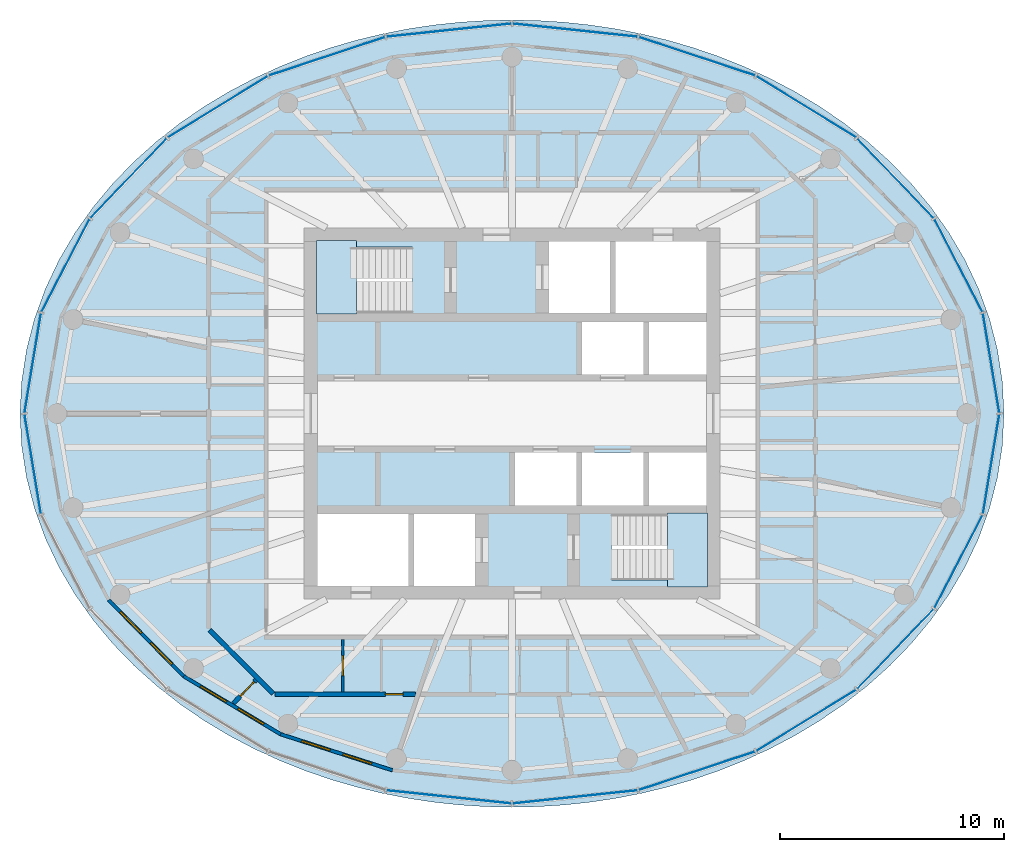
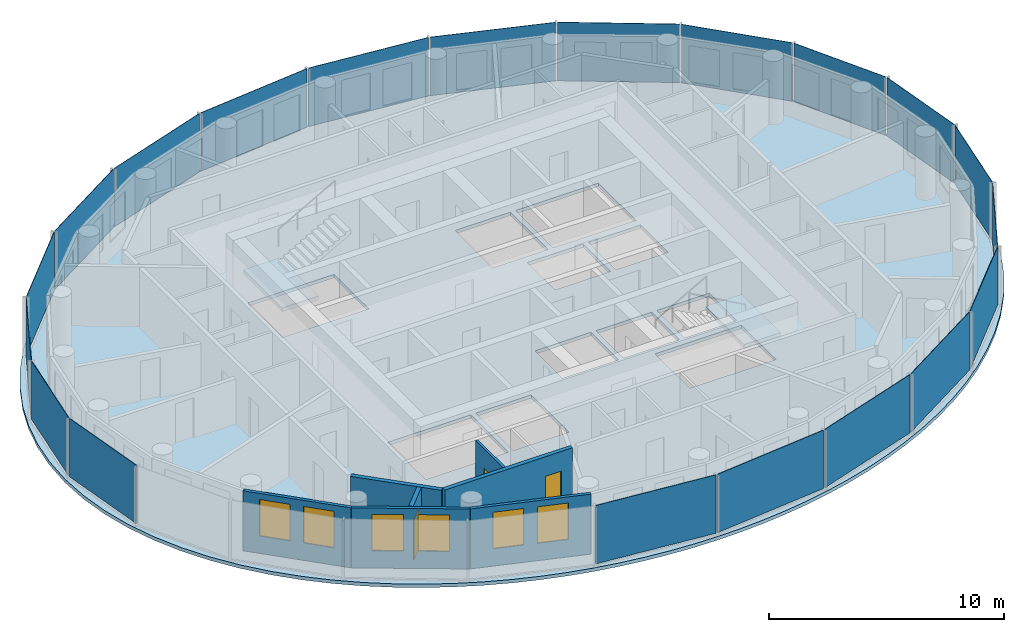
# One storey, part 4 of 11: 20 plates, 7 walls, 6 windows, 3 doors, 3 slabs, 9 openings, 6 elements without a shape of their own.
"""IFC4 building model written with IfcOpenShell, lengths in metres."""

from ifc_helpers import new_model, si_unit, direction, frame, frame_2d, origin, origin_2d, place, context, subcontext, project, spatial, polyline, rectangle, outline, extrude, material, layer, layer_set, type_object, element, fill, aggregate, save


model = new_model("IFC4")

# Units and contexts
model_context = context("Model", 3, precision=1e-05, world=origin(), true_north=direction((0.0, 1.0)))
body_context = subcontext(model_context, "Body", "Model", "MODEL_VIEW")
ifc_project = project(units=[si_unit("LENGTHUNIT", "METRE"), si_unit("AREAUNIT", "SQUARE_METRE"), si_unit("VOLUMEUNIT", "CUBIC_METRE"), si_unit("PLANEANGLEUNIT", "RADIAN"), si_unit("MASSUNIT", "GRAM", prefix="KILO")], contexts=[model_context])

# Site, building, storey
site_placement = place(None, origin())
site = spatial("IfcSite", under=ifc_project, at=site_placement, CompositionType="ELEMENT")
building_placement = place(site_placement, origin())
building = spatial("IfcBuilding", under=site, at=building_placement, Name="Hankou Lantern Tower", CompositionType="ELEMENT")
storey_placement = place(building_placement, frame((0.0, 0.0, 212.699951171875)))
storey = spatial("IfcBuildingStorey", under=building, at=storey_placement, Name="L57", CompositionType="ELEMENT", Elevation=212.699951171875)

# Curtain wall, plates
ifc_material_1 = material(Name="Glass, dark grey tinted laminated", Category="glass")
curtain_wall_type = type_object("IfcCurtainWallType", Name="CWD OUTER SKIN SUITE", PredefinedType="USERDEFINED", material=ifc_material_1)
curtain_wall_1_placement = place(storey_placement, origin())
curtain_wall_1 = element("IfcCurtainWall", 1, at=curtain_wall_1_placement, inside=storey, type_object=curtain_wall_type, Name="CWD L57 OS1", ObjectType="OUTER SKIN SUITE", PredefinedType="USERDEFINED")
ifc_material_2 = material(Name="Glass, dark grey tinted laminated", Category="glass")
ifc_layer_1 = layer(ifc_material_2, 0.02392578125)
ifc_layer_set_1 = layer_set([ifc_layer_1], Name="Glass, dark grey tinted laminated")
plate_type = type_object("IfcPlateType", Name="PN1 OUTER SKIN GLASS PANEL", PredefinedType="CURTAIN_PANEL", material=ifc_layer_set_1)
plate_1_placement = place(storey_placement, frame((21.4287109375, 2.2568359375, 0.080078125), z_axis=(0.0, 0.0, 1.0), x_axis=(-0.162381515188, 0.986728049427, 0.0)))
plate_1 = element("IfcPlate", 2, at=plate_1_placement, type_object=plate_type, Name="CWD glass panel 1", PredefinedType="CURTAIN_PANEL", context=body_context, shape_type="SweptSolid", body=[
    extrude(rectangle(XDim=4.49462890625, YDim=0.02392578125, at=origin_2d()), origin(), (0.0, 0.0, 1.0), 3.0400390625),
])
plate_2_placement = place(storey_placement, frame((19.96826171875, 6.616943359375, 0.080078125), z_axis=(0.0, 0.0, 1.0), x_axis=(-0.459791091957, 0.888027112062, 0.0)))
plate_2 = element("IfcPlate", 3, at=plate_2_placement, type_object=plate_type, Name="CWD glass panel 2", PredefinedType="CURTAIN_PANEL", context=body_context, shape_type="SweptSolid", body=[
    extrude(rectangle(XDim=4.656494140625, YDim=0.02392578125, at=origin_2d()), origin(), (0.0, 0.0, 1.0), 3.0400390625),
])
plate_3_placement = place(storey_placement, frame((17.147216796875, 10.52587890625, 0.080078125), z_axis=(0.0, 0.0, 1.0), x_axis=(-0.692215809936, 0.721690565599, 0.0)))
plate_3 = element("IfcPlate", 4, at=plate_3_placement, type_object=plate_type, Name="CWD glass panel 3", PredefinedType="CURTAIN_PANEL", context=body_context, shape_type="SweptSolid", body=[
    extrude(rectangle(XDim=4.9248046875, YDim=0.02392578125, at=origin_2d()), origin(), (0.0, 0.0, 1.0), 3.0400390625),
])
plate_4_placement = place(storey_placement, frame((13.157470703125, 13.7177734375, 0.080078125), z_axis=(0.0, 0.0, 1.0), x_axis=(-0.852237151549, 0.523155653242, 0.0)))
plate_4 = element("IfcPlate", 5, at=plate_4_placement, type_object=plate_type, Name="CWD glass panel 4", PredefinedType="CURTAIN_PANEL", context=body_context, shape_type="SweptSolid", body=[
    extrude(rectangle(XDim=5.2177734375, YDim=0.02392578125, at=origin_2d()), origin(), (0.0, 0.0, 1.0), 3.0400390625),
])
plate_5_placement = place(storey_placement, frame((8.271240234375, 15.974609375, 0.080078125), z_axis=(0.0, 0.0, 1.0), x_axis=(-0.949240677293, 0.31455068999, 0.0)))
plate_5 = element("IfcPlate", 6, at=plate_5_placement, type_object=plate_type, Name="CWD glass panel 5", PredefinedType="CURTAIN_PANEL", context=body_context, shape_type="SweptSolid", body=[
    extrude(rectangle(XDim=5.458984375, YDim=0.02392578125, at=origin_2d()), origin(), (0.0, 0.0, 1.0), 3.0400390625),
])
plate_6_placement = place(storey_placement, frame((2.821044921875, 17.142822265625, 0.080078125), z_axis=(0.0, 0.0, 1.0), x_axis=(-0.994499359107, 0.104742659579, 0.0)))
plate_6 = element("IfcPlate", 7, at=plate_6_placement, type_object=plate_type, Name="CWD glass panel 6", PredefinedType="CURTAIN_PANEL", context=body_context, shape_type="SweptSolid", body=[
    extrude(rectangle(XDim=5.593505859375, YDim=0.02392578125, at=origin_2d()), origin(), (0.0, 0.0, 1.0), 3.0400390625),
])
aggregate(curtain_wall_1, [plate_1, plate_2, plate_3, plate_4, plate_5, plate_6])

curtain_wall_2_placement = place(storey_placement, origin())
curtain_wall_2 = element("IfcCurtainWall", 8, at=curtain_wall_2_placement, inside=storey, type_object=curtain_wall_type, Name="CWD L57 OS2", ObjectType="OUTER SKIN SUITE", PredefinedType="USERDEFINED")
plate_7_placement = place(storey_placement, frame((-2.821044921875, 17.142822265625, 0.080078125), z_axis=(0.0, 0.0, 1.0), x_axis=(-0.994499359107, -0.104742659579, 0.0)))
plate_7 = element("IfcPlate", 9, at=plate_7_placement, type_object=plate_type, Name="CWD glass panel 1", PredefinedType="CURTAIN_PANEL", context=body_context, shape_type="SweptSolid", body=[
    extrude(rectangle(XDim=5.593505859375, YDim=0.02392578125, at=origin_2d()), origin(), (0.0, 0.0, 1.0), 3.0400390625),
])
plate_8_placement = place(storey_placement, frame((-8.271240234375, 15.974609375, 0.080078125), z_axis=(0.0, 0.0, 1.0), x_axis=(-0.949240677293, -0.31455068999, 0.0)))
plate_8 = element("IfcPlate", 10, at=plate_8_placement, type_object=plate_type, Name="CWD glass panel 2", PredefinedType="CURTAIN_PANEL", context=body_context, shape_type="SweptSolid", body=[
    extrude(rectangle(XDim=5.458984375, YDim=0.02392578125, at=origin_2d()), origin(), (0.0, 0.0, 1.0), 3.0400390625),
])
plate_9_placement = place(storey_placement, frame((-13.157470703125, 13.7177734375, 0.080078125), z_axis=(0.0, 0.0, 1.0), x_axis=(-0.852237151549, -0.523155653242, 0.0)))
plate_9 = element("IfcPlate", 11, at=plate_9_placement, type_object=plate_type, Name="CWD glass panel 3", PredefinedType="CURTAIN_PANEL", context=body_context, shape_type="SweptSolid", body=[
    extrude(rectangle(XDim=5.2177734375, YDim=0.02392578125, at=origin_2d()), origin(), (0.0, 0.0, 1.0), 3.0400390625),
])
plate_10_placement = place(storey_placement, frame((-17.147216796875, 10.52587890625, 0.080078125), z_axis=(0.0, 0.0, 1.0), x_axis=(-0.692215809936, -0.721690565599, 0.0)))
plate_10 = element("IfcPlate", 12, at=plate_10_placement, type_object=plate_type, Name="CWD glass panel 4", PredefinedType="CURTAIN_PANEL", context=body_context, shape_type="SweptSolid", body=[
    extrude(rectangle(XDim=4.9248046875, YDim=0.02392578125, at=origin_2d()), origin(), (0.0, 0.0, 1.0), 3.0400390625),
])
plate_11_placement = place(storey_placement, frame((-19.96826171875, 6.616943359375, 0.080078125), z_axis=(0.0, 0.0, 1.0), x_axis=(-0.459791091957, -0.888027112062, 0.0)))
plate_11 = element("IfcPlate", 13, at=plate_11_placement, type_object=plate_type, Name="CWD glass panel 5", PredefinedType="CURTAIN_PANEL", context=body_context, shape_type="SweptSolid", body=[
    extrude(rectangle(XDim=4.656494140625, YDim=0.02392578125, at=origin_2d()), origin(), (0.0, 0.0, 1.0), 3.0400390625),
])
plate_12_placement = place(storey_placement, frame((-21.4287109375, 2.2568359375, 0.080078125), z_axis=(0.0, 0.0, 1.0), x_axis=(-0.162381515188, -0.986728049427, 0.0)))
plate_12 = element("IfcPlate", 14, at=plate_12_placement, type_object=plate_type, Name="CWD glass panel 6", PredefinedType="CURTAIN_PANEL", context=body_context, shape_type="SweptSolid", body=[
    extrude(rectangle(XDim=4.49462890625, YDim=0.02392578125, at=origin_2d()), origin(), (0.0, 0.0, 1.0), 3.0400390625),
])
aggregate(curtain_wall_2, [plate_7, plate_8, plate_9, plate_10, plate_11, plate_12])

curtain_wall_3_placement = place(storey_placement, origin())
curtain_wall_3 = element("IfcCurtainWall", 15, at=curtain_wall_3_placement, inside=storey, type_object=curtain_wall_type, Name="CWD L57 OS3", ObjectType="OUTER SKIN SUITE", PredefinedType="USERDEFINED")
plate_13_placement = place(storey_placement, frame((-21.4287109375, -2.2568359375, 0.080078125), z_axis=(0.0, 0.0, 1.0), x_axis=(0.162381515188, -0.986728049427, 0.0)))
plate_13 = element("IfcPlate", 16, at=plate_13_placement, type_object=plate_type, Name="CWD glass panel 1", PredefinedType="CURTAIN_PANEL", context=body_context, shape_type="SweptSolid", body=[
    extrude(rectangle(XDim=4.49462890625, YDim=0.02392578125, at=origin_2d()), origin(), (0.0, 0.0, 1.0), 3.0400390625),
])
plate_14_placement = place(storey_placement, frame((-2.821044921875, -17.142822265625, 0.080078125), z_axis=(0.0, 0.0, 1.0), x_axis=(0.994499359107, -0.104742659579, 0.0)))
plate_14 = element("IfcPlate", 17, at=plate_14_placement, type_object=plate_type, Name="CWD glass panel 6", PredefinedType="CURTAIN_PANEL", context=body_context, shape_type="SweptSolid", body=[
    extrude(rectangle(XDim=5.593505859375, YDim=0.02392578125, at=origin_2d()), origin(), (0.0, 0.0, 1.0), 3.0400390625),
])
aggregate(curtain_wall_3, [plate_13, plate_14])

curtain_wall_4_placement = place(storey_placement, origin())
curtain_wall_4 = element("IfcCurtainWall", 18, at=curtain_wall_4_placement, inside=storey, type_object=curtain_wall_type, Name="CWD L57 OS4", ObjectType="OUTER SKIN SUITE", PredefinedType="USERDEFINED")
plate_15_placement = place(storey_placement, frame((2.821044921875, -17.142822265625, 0.080078125), z_axis=(0.0, 0.0, 1.0), x_axis=(0.994499359107, 0.104742659579, 0.0)))
plate_15 = element("IfcPlate", 19, at=plate_15_placement, type_object=plate_type, Name="CWD glass panel 1", PredefinedType="CURTAIN_PANEL", context=body_context, shape_type="SweptSolid", body=[
    extrude(rectangle(XDim=5.593505859375, YDim=0.02392578125, at=origin_2d()), origin(), (0.0, 0.0, 1.0), 3.0400390625),
])
plate_16_placement = place(storey_placement, frame((8.271240234375, -15.974609375, 0.080078125), z_axis=(0.0, 0.0, 1.0), x_axis=(0.949240677293, 0.31455068999, 0.0)))
plate_16 = element("IfcPlate", 20, at=plate_16_placement, type_object=plate_type, Name="CWD glass panel 2", PredefinedType="CURTAIN_PANEL", context=body_context, shape_type="SweptSolid", body=[
    extrude(rectangle(XDim=5.458984375, YDim=0.02392578125, at=origin_2d()), origin(), (0.0, 0.0, 1.0), 3.0400390625),
])
plate_17_placement = place(storey_placement, frame((13.157470703125, -13.7177734375, 0.080078125), z_axis=(0.0, 0.0, 1.0), x_axis=(0.852237151549, 0.523155653242, 0.0)))
plate_17 = element("IfcPlate", 21, at=plate_17_placement, type_object=plate_type, Name="CWD glass panel 3", PredefinedType="CURTAIN_PANEL", context=body_context, shape_type="SweptSolid", body=[
    extrude(rectangle(XDim=5.2177734375, YDim=0.02392578125, at=origin_2d()), origin(), (0.0, 0.0, 1.0), 3.0400390625),
])
plate_18_placement = place(storey_placement, frame((17.147216796875, -10.52587890625, 0.080078125), z_axis=(0.0, 0.0, 1.0), x_axis=(0.692215809936, 0.721690565599, 0.0)))
plate_18 = element("IfcPlate", 22, at=plate_18_placement, type_object=plate_type, Name="CWD glass panel 4", PredefinedType="CURTAIN_PANEL", context=body_context, shape_type="SweptSolid", body=[
    extrude(rectangle(XDim=4.9248046875, YDim=0.02392578125, at=origin_2d()), origin(), (0.0, 0.0, 1.0), 3.0400390625),
])
plate_19_placement = place(storey_placement, frame((19.96826171875, -6.616943359375, 0.080078125), z_axis=(0.0, 0.0, 1.0), x_axis=(0.459791091957, 0.888027112062, 0.0)))
plate_19 = element("IfcPlate", 23, at=plate_19_placement, type_object=plate_type, Name="CWD glass panel 5", PredefinedType="CURTAIN_PANEL", context=body_context, shape_type="SweptSolid", body=[
    extrude(rectangle(XDim=4.656494140625, YDim=0.02392578125, at=origin_2d()), origin(), (0.0, 0.0, 1.0), 3.0400390625),
])
plate_20_placement = place(storey_placement, frame((21.4287109375, -2.2568359375, 0.080078125), z_axis=(0.0, 0.0, 1.0), x_axis=(0.162381515188, 0.986728049427, 0.0)))
plate_20 = element("IfcPlate", 24, at=plate_20_placement, type_object=plate_type, Name="CWD glass panel 6", PredefinedType="CURTAIN_PANEL", context=body_context, shape_type="SweptSolid", body=[
    extrude(rectangle(XDim=4.49462890625, YDim=0.02392578125, at=origin_2d()), origin(), (0.0, 0.0, 1.0), 3.0400390625),
])
aggregate(curtain_wall_4, [plate_15, plate_16, plate_17, plate_18, plate_19, plate_20])

# Slab
ifc_material_3 = material(Name="Concrete C50", Category="concrete")
ifc_layer_2 = layer(ifc_material_3, 0.179931640625)
ifc_layer_set_2 = layer_set([ifc_layer_2], Name="Concrete C50")
slab_type_1 = type_object("IfcSlabType", Name="S1 CONCRETE FLOOR SLAB 180", PredefinedType="FLOOR", material=ifc_layer_set_2)
slab_1_placement = place(storey_placement, frame((0.0, 0.0, -0.179931640625)))
element("IfcSlab", 25, at=slab_1_placement, inside=storey, type_object=slab_type_1, Name="Floor slab L57", PredefinedType="FLOOR", context=body_context, shape_type="SweptSolid", body=[
    extrude(outline(polyline([(22.0, 0.0), (21.926513671875, 1.437255859375), (21.7080078125, 2.85791015625), (21.349853515625, 4.246826171875), (20.861083984375, 5.589599609375), (20.252197265625, 6.874755859375), (19.53662109375, 8.09228515625), (18.727783203125, 9.235595703125), (17.83935546875, 10.299560546875), (16.88525390625, 11.2822265625), (15.877197265625, 12.18310546875), (14.82666015625, 13.002685546875), (13.743408203125, 13.743408203125), (12.63525390625, 14.40771484375), (11.509521484375, 14.999267578125), (10.37109375, 15.521728515625), (9.224853515625, 15.97802734375), (8.07373046875, 16.3720703125), (6.920166015625, 16.70654296875), (5.765625, 16.98486328125), (4.611083984375, 17.208984375), (3.457275390625, 17.38134765625), (2.304443359375, 17.503173828125), (1.152099609375, 17.575927734375), (0.0, 17.60009765625), (-1.152099609375, 17.575927734375), (-2.304443359375, 17.503173828125), (-3.457275390625, 17.38134765625), (-4.611083984375, 17.208984375), (-5.765625, 16.98486328125), (-6.920166015625, 16.70654296875), (-8.07373046875, 16.3720703125), (-9.224853515625, 15.97802734375), (-10.37109375, 15.521728515625), (-11.509521484375, 14.999267578125), (-12.63525390625, 14.40771484375), (-13.743408203125, 13.743408203125), (-14.82666015625, 13.002685546875), (-15.877197265625, 12.18310546875), (-16.88525390625, 11.2822265625), (-17.83935546875, 10.299560546875), (-18.727783203125, 9.235595703125), (-19.53662109375, 8.09228515625), (-20.252197265625, 6.874755859375), (-20.861083984375, 5.589599609375), (-21.349853515625, 4.246826171875), (-21.7080078125, 2.85791015625), (-21.926513671875, 1.437255859375), (-22.0, 0.0), (-21.926513671875, -1.437255859375), (-21.7080078125, -2.85791015625), (-21.349853515625, -4.246826171875), (-20.861083984375, -5.589599609375), (-20.252197265625, -6.874755859375), (-19.53662109375, -8.09228515625), (-18.727783203125, -9.235595703125), (-17.83935546875, -10.299560546875), (-16.88525390625, -11.2822265625), (-15.877197265625, -12.18310546875), (-14.82666015625, -13.002685546875), (-13.743408203125, -13.743408203125), (-12.63525390625, -14.40771484375), (-11.509521484375, -14.999267578125), (-10.37109375, -15.521728515625), (-9.224853515625, -15.97802734375), (-8.07373046875, -16.3720703125), (-6.920166015625, -16.70654296875), (-5.765625, -16.98486328125), (-4.611083984375, -17.208984375), (-3.457275390625, -17.38134765625), (-2.304443359375, -17.503173828125), (-1.152099609375, -17.575927734375), (0.0, -17.60009765625), (1.152099609375, -17.575927734375), (2.304443359375, -17.503173828125), (3.457275390625, -17.38134765625), (4.611083984375, -17.208984375), (5.765625, -16.98486328125), (6.920166015625, -16.70654296875), (8.07373046875, -16.3720703125), (9.224853515625, -15.97802734375), (10.37109375, -15.521728515625), (11.509521484375, -14.999267578125), (12.63525390625, -14.40771484375), (13.743408203125, -13.743408203125), (14.82666015625, -13.002685546875), (15.877197265625, -12.18310546875), (16.88525390625, -11.2822265625), (17.83935546875, -10.299560546875), (18.727783203125, -9.235595703125), (19.53662109375, -8.09228515625), (20.252197265625, -6.874755859375), (20.861083984375, -5.589599609375), (21.349853515625, -4.246826171875), (21.7080078125, -2.85791015625), (21.926513671875, -1.437255859375), (22.0, 0.0)]), holes=[polyline([(3.125, 4.10009765625), (5.875, 4.10009765625), (5.875, 1.75), (3.125, 1.75), (3.125, 4.10009765625)]), polyline([(6.125, 4.10009765625), (8.699951171875, 4.10009765625), (8.699951171875, 1.75), (6.125, 1.75), (6.125, 4.10009765625)]), polyline([(0.125, -1.75), (2.875, -1.75), (2.875, -4.10009765625), (0.125, -4.10009765625), (0.125, -1.75)]), polyline([(3.125, -1.75), (5.875, -1.75), (5.875, -4.10009765625), (3.125, -4.10009765625), (3.125, -1.75)]), polyline([(6.125, -1.75), (8.699951171875, -1.75), (8.699951171875, -4.10009765625), (6.125, -4.10009765625), (6.125, -1.75)]), polyline([(1.64990234375, 7.699951171875), (4.375, 7.699951171875), (4.375, 4.5), (1.64990234375, 4.5), (1.64990234375, 7.699951171875)]), polyline([(-4.375, -4.5), (-1.64990234375, -4.5), (-1.64990234375, -7.699951171875), (-4.375, -7.699951171875), (-4.375, -4.5)]), polyline([(-8.699951171875, 7.449951171875), (-4.449951171875, 7.449951171875), (-4.449951171875, 4.5), (-8.699951171875, 4.5), (-8.699951171875, 7.449951171875)]), polyline([(4.449951171875, -4.5), (8.699951171875, -4.5), (8.699951171875, -7.449951171875), (4.449951171875, -7.449951171875), (4.449951171875, -4.5)]), polyline([(4.625, 7.699951171875), (8.699951171875, 7.699951171875), (8.699951171875, 4.5), (4.625, 4.5), (4.625, 7.699951171875)]), polyline([(-8.699951171875, -4.5), (-4.625, -4.5), (-4.625, -7.699951171875), (-8.699951171875, -7.699951171875), (-8.699951171875, -4.5)])]), origin(), (0.0, 0.0, 1.0), 0.179931640625),
])

# Stair, slab
ifc_material_4 = material(Name="Concrete C40", Category="concrete")
stair_type = type_object("IfcStairType", Name="ST33 CORE STAIR 3300 RISE", PredefinedType="HALF_TURN_STAIR", material=ifc_material_4)
stair_1_placement = place(storey_placement, origin())
stair_1 = element("IfcStair", 26, at=stair_1_placement, inside=storey, type_object=stair_type, Name="Stair STA L57", PredefinedType="HALF_TURN_STAIR")
ifc_material_5 = material(Name="Concrete C40", Category="concrete")
ifc_layer_3 = layer(ifc_material_5, 0.199951171875)
ifc_layer_set_3 = layer_set([ifc_layer_3], Name="Concrete C40")
slab_type_2 = type_object("IfcSlabType", Name="SL1 STAIR LANDING 200", PredefinedType="LANDING", material=ifc_layer_set_3)
slab_2_placement = place(storey_placement, frame((0.0, 0.0, 1.37158203125)))
slab_2 = element("IfcSlab", 27, at=slab_2_placement, type_object=slab_type_2, Name="STA landing 1", PredefinedType="LANDING", context=body_context, shape_type="SweptSolid", body=[
    extrude(outline(polyline([(-8.75, 4.449951171875), (-6.949951171875, 4.449951171875), (-6.949951171875, 7.75), (-8.75, 7.75), (-8.75, 4.449951171875)])), origin(), (0.0, 0.0, 1.0), 0.199951171875),
])
aggregate(stair_1, [slab_2])

stair_2_placement = place(storey_placement, origin())
stair_2 = element("IfcStair", 28, at=stair_2_placement, inside=storey, type_object=stair_type, Name="Stair STB L57", PredefinedType="HALF_TURN_STAIR")
slab_3_placement = place(storey_placement, frame((0.0, 0.0, 1.37158203125)))
slab_3 = element("IfcSlab", 29, at=slab_3_placement, type_object=slab_type_2, Name="STB landing 1", PredefinedType="LANDING", context=body_context, shape_type="SweptSolid", body=[
    extrude(outline(polyline([(8.75, -4.449951171875), (6.949951171875, -4.449951171875), (6.949951171875, -7.75), (8.75, -7.75), (8.75, -4.449951171875)])), origin(), (0.0, 0.0, 1.0), 0.199951171875),
])
aggregate(stair_2, [slab_3])

# Wall, openings, windows
ifc_material_6 = material(Name="Aluminium spandrel panel on steel studs", Category="steel")
ifc_layer_4 = layer(ifc_material_6, 0.14990234375)
ifc_layer_set_4 = layer_set([ifc_layer_4], Name="Aluminium spandrel panel on steel studs")
wall_type_1 = type_object("IfcWallType", Name="EW1 INNER SKIN WALL 150", PredefinedType="ELEMENTEDWALL", material=ifc_layer_set_4)
wall_1_placement = place(storey_placement, frame((-18.03955078125, -8.33203125, 0.0), z_axis=(0.0, 0.0, 1.0), x_axis=(0.701527379618, -0.712642501993, 0.0)))
wall_1 = element("IfcWall", 30, at=wall_1_placement, inside=storey, type_object=wall_type_1, Name="Inner skin R15-R16 L57", PredefinedType="ELEMENTEDWALL", context=body_context, shape_type="SweptSolid", body=[
    extrude(rectangle(XDim=4.788330078125, YDim=0.14990234375, at=frame_2d((2.39404296875, 0.0))), origin(), (0.0, 0.0, 1.0), 3.1201171875),
])
opening_1_placement = place(wall_1_placement, frame((0.744140625, 0.0, 0.89990234375)))
opening_1 = element("IfcOpeningElement", 31, at=opening_1_placement, cuts=wall_1, Name="Opening W4", PredefinedType="OPENING", context=body_context, shape_type="SweptSolid", body=[
    extrude(rectangle(XDim=1.35009765625, YDim=1.89990234375, at=frame_2d((0.675048828125, 0.949951171875))), frame((0.0, 0.0849609375, 0.0), z_axis=(0.0, -1.0, 0.0), x_axis=(1.0, 0.0, 0.0)), (0.0, 0.0, 1.0), 0.169921875),
])
opening_2_placement = place(wall_1_placement, frame((2.694091796875, 0.0, 0.89990234375)))
opening_2 = element("IfcOpeningElement", 32, at=opening_2_placement, cuts=wall_1, Name="Opening W4", PredefinedType="OPENING", context=body_context, shape_type="SweptSolid", body=[
    extrude(rectangle(XDim=1.35009765625, YDim=1.89990234375, at=frame_2d((0.675048828125, 0.949951171875))), frame((0.0, 0.0849609375, 0.0), z_axis=(0.0, -1.0, 0.0), x_axis=(1.0, 0.0, 0.0)), (0.0, 0.0, 1.0), 0.169921875),
])
ifc_material_7 = material(Name="Aluminium framed double glazed window", Category="aluminium")
window_type = type_object("IfcWindowType", Name="W4 SUITE WINDOW 1350X1900", PartitioningType="DOUBLE_PANEL_VERTICAL", PredefinedType="WINDOW", material=ifc_material_7)
window_1_placement = place(opening_1_placement, origin())
window_1 = element("IfcWindow", 33, at=window_1_placement, inside=storey, type_object=window_type, Name="Window R15.1 L57", OverallHeight=1.89990234375, OverallWidth=1.35009765625, PartitioningType="SINGLE_PANEL", PredefinedType="WINDOW", context=body_context, shape_type="SweptSolid", body=[
    extrude(rectangle(XDim=1.35009765625, YDim=1.89990234375, at=frame_2d((0.675048828125, 0.949951171875))), frame((0.0, 0.030029296875, 0.0), z_axis=(0.0, -1.0, 0.0), x_axis=(1.0, 0.0, 0.0)), (0.0, 0.0, 1.0), 0.06005859375),
])
fill(opening_1, window_1)
window_2_placement = place(opening_2_placement, origin())
window_2 = element("IfcWindow", 34, at=window_2_placement, inside=storey, type_object=window_type, Name="Window R15.2 L57", OverallHeight=1.89990234375, OverallWidth=1.35009765625, PartitioningType="SINGLE_PANEL", PredefinedType="WINDOW", context=body_context, shape_type="SweptSolid", body=[
    extrude(rectangle(XDim=1.35009765625, YDim=1.89990234375, at=frame_2d((0.675048828125, 0.949951171875))), frame((0.0, 0.030029296875, 0.0), z_axis=(0.0, -1.0, 0.0), x_axis=(1.0, 0.0, 0.0)), (0.0, 0.0, 1.0), 0.06005859375),
])
fill(opening_2, window_2)

wall_2_placement = place(storey_placement, frame((-14.680419921875, -11.744384765625, 0.0), z_axis=(0.0, 0.0, 1.0), x_axis=(0.85822150553, -0.513279502265, 0.0)))
wall_2 = element("IfcWall", 35, at=wall_2_placement, inside=storey, type_object=wall_type_1, Name="Inner skin R16-R17 L57", PredefinedType="ELEMENTEDWALL", context=body_context, shape_type="SweptSolid", body=[
    extrude(rectangle(XDim=5.050048828125, YDim=0.14990234375, at=frame_2d((2.52490234375, 0.0))), origin(), (0.0, 0.0, 1.0), 3.1201171875),
])
opening_3_placement = place(wall_2_placement, frame((0.875, 0.0, 0.89990234375)))
opening_3 = element("IfcOpeningElement", 36, at=opening_3_placement, cuts=wall_2, Name="Opening W4", PredefinedType="OPENING", context=body_context, shape_type="SweptSolid", body=[
    extrude(rectangle(XDim=1.35009765625, YDim=1.89990234375, at=frame_2d((0.675048828125, 0.949951171875))), frame((0.0, 0.0849609375, 0.0), z_axis=(0.0, -1.0, 0.0), x_axis=(1.0, 0.0, 0.0)), (0.0, 0.0, 1.0), 0.169921875),
])
opening_4_placement = place(wall_2_placement, frame((2.824951171875, 0.0, 0.89990234375)))
opening_4 = element("IfcOpeningElement", 37, at=opening_4_placement, cuts=wall_2, Name="Opening W4", PredefinedType="OPENING", context=body_context, shape_type="SweptSolid", body=[
    extrude(rectangle(XDim=1.35009765625, YDim=1.89990234375, at=frame_2d((0.675048828125, 0.949951171875))), frame((0.0, 0.0849609375, 0.0), z_axis=(0.0, -1.0, 0.0), x_axis=(1.0, 0.0, 0.0)), (0.0, 0.0, 1.0), 0.169921875),
])
window_3_placement = place(opening_3_placement, origin())
window_3 = element("IfcWindow", 38, at=window_3_placement, inside=storey, type_object=window_type, Name="Window R16.1 L57", OverallHeight=1.89990234375, OverallWidth=1.35009765625, PartitioningType="SINGLE_PANEL", PredefinedType="WINDOW", context=body_context, shape_type="SweptSolid", body=[
    extrude(rectangle(XDim=1.35009765625, YDim=1.89990234375, at=frame_2d((0.675048828125, 0.949951171875))), frame((0.0, 0.030029296875, 0.0), z_axis=(0.0, -1.0, 0.0), x_axis=(1.0, 0.0, 0.0)), (0.0, 0.0, 1.0), 0.06005859375),
])
fill(opening_3, window_3)
window_4_placement = place(opening_4_placement, origin())
window_4 = element("IfcWindow", 39, at=window_4_placement, inside=storey, type_object=window_type, Name="Window R16.2 L57", OverallHeight=1.89990234375, OverallWidth=1.35009765625, PartitioningType="SINGLE_PANEL", PredefinedType="WINDOW", context=body_context, shape_type="SweptSolid", body=[
    extrude(rectangle(XDim=1.35009765625, YDim=1.89990234375, at=frame_2d((0.675048828125, 0.949951171875))), frame((0.0, 0.030029296875, 0.0), z_axis=(0.0, -1.0, 0.0), x_axis=(1.0, 0.0, 0.0)), (0.0, 0.0, 1.0), 0.06005859375),
])
fill(opening_4, window_4)

wall_3_placement = place(storey_placement, frame((-10.346435546875, -14.33642578125, 0.0), z_axis=(0.0, 0.0, 1.0), x_axis=(0.951644702515, -0.307200846638, 0.0)))
wall_3 = element("IfcWall", 40, at=wall_3_placement, inside=storey, type_object=wall_type_1, Name="Inner skin R17-R18 L57", PredefinedType="ELEMENTEDWALL", context=body_context, shape_type="SweptSolid", body=[
    extrude(rectangle(XDim=5.2578125, YDim=0.14990234375, at=frame_2d((2.62890625, 0.0))), origin(), (0.0, 0.0, 1.0), 3.1201171875),
])
opening_5_placement = place(wall_3_placement, frame((0.97900390625, 0.0, 0.89990234375)))
opening_5 = element("IfcOpeningElement", 41, at=opening_5_placement, cuts=wall_3, Name="Opening W4", PredefinedType="OPENING", context=body_context, shape_type="SweptSolid", body=[
    extrude(rectangle(XDim=1.35009765625, YDim=1.89990234375, at=frame_2d((0.675048828125, 0.949951171875))), frame((0.0, 0.0849609375, 0.0), z_axis=(0.0, -1.0, 0.0), x_axis=(1.0, 0.0, 0.0)), (0.0, 0.0, 1.0), 0.169921875),
])
opening_6_placement = place(wall_3_placement, frame((2.928955078125, 0.0, 0.89990234375)))
opening_6 = element("IfcOpeningElement", 42, at=opening_6_placement, cuts=wall_3, Name="Opening W4", PredefinedType="OPENING", context=body_context, shape_type="SweptSolid", body=[
    extrude(rectangle(XDim=1.35009765625, YDim=1.89990234375, at=frame_2d((0.675048828125, 0.949951171875))), frame((0.0, 0.0849609375, 0.0), z_axis=(0.0, -1.0, 0.0), x_axis=(1.0, 0.0, 0.0)), (0.0, 0.0, 1.0), 0.169921875),
])
window_5_placement = place(opening_5_placement, origin())
window_5 = element("IfcWindow", 43, at=window_5_placement, inside=storey, type_object=window_type, Name="Window R17.1 L57", OverallHeight=1.89990234375, OverallWidth=1.35009765625, PartitioningType="SINGLE_PANEL", PredefinedType="WINDOW", context=body_context, shape_type="SweptSolid", body=[
    extrude(rectangle(XDim=1.35009765625, YDim=1.89990234375, at=frame_2d((0.675048828125, 0.949951171875))), frame((0.0, 0.030029296875, 0.0), z_axis=(0.0, -1.0, 0.0), x_axis=(1.0, 0.0, 0.0)), (0.0, 0.0, 1.0), 0.06005859375),
])
fill(opening_5, window_5)
window_6_placement = place(opening_6_placement, origin())
window_6 = element("IfcWindow", 44, at=window_6_placement, inside=storey, type_object=window_type, Name="Window R17.2 L57", OverallHeight=1.89990234375, OverallWidth=1.35009765625, PartitioningType="SINGLE_PANEL", PredefinedType="WINDOW", context=body_context, shape_type="SweptSolid", body=[
    extrude(rectangle(XDim=1.35009765625, YDim=1.89990234375, at=frame_2d((0.675048828125, 0.949951171875))), frame((0.0, 0.030029296875, 0.0), z_axis=(0.0, -1.0, 0.0), x_axis=(1.0, 0.0, 0.0)), (0.0, 0.0, 1.0), 0.06005859375),
])
fill(opening_6, window_6)

# Wall, opening, door
ifc_material_8 = material(Name="Masonry lightweight concrete block", Category="masonry")
ifc_layer_5 = layer(ifc_material_8, 0.1201171875)
ifc_layer_set_5 = layer_set([ifc_layer_5], Name="Masonry lightweight concrete block")
wall_type_2 = type_object("IfcWallType", Name="IW3 BATHROOM WALL 120", PredefinedType="PARTITIONING", material=ifc_layer_set_5)
wall_4_placement = place(storey_placement, frame((-7.5693359375, -10.10009765625, 0.0), z_axis=(0.0, 0.0, 1.0), x_axis=(0.0, -1.0, 0.0)))
wall_4 = element("IfcWall", 45, at=wall_4_placement, inside=storey, type_object=wall_type_2, Name="Box wall 5704 2", PredefinedType="PARTITIONING", context=body_context, shape_type="SweptSolid", body=[
    extrude(rectangle(XDim=2.349853515625, YDim=0.1201171875, at=frame_2d((1.1748046875, 0.0))), origin(), (0.0, 0.0, 1.0), 3.1201171875),
])
opening_7_placement = place(wall_4_placement, frame((0.719970703125, 0.0, 0.0)))
opening_7 = element("IfcOpeningElement", 46, at=opening_7_placement, cuts=wall_4, Name="Opening D27", PredefinedType="OPENING", context=body_context, shape_type="SweptSolid", body=[
    extrude(rectangle(XDim=0.89990234375, YDim=2.10009765625, at=frame_2d((0.449951171875, 1.050048828125))), frame((0.0, 0.070068359375, 0.0), z_axis=(0.0, -1.0, 0.0), x_axis=(1.0, 0.0, 0.0)), (0.0, 0.0, 1.0), 0.14013671875),
])
ifc_material_9 = material(Name="Timber door leaf", Category="wood")
door_type_1 = type_object("IfcDoorType", Name="D27 INTERNAL DOOR 900X2100", OperationType="SINGLE_SWING_LEFT", PredefinedType="DOOR", material=ifc_material_9)
door_1_placement = place(opening_7_placement, origin())
door_1 = element("IfcDoor", 47, at=door_1_placement, inside=storey, type_object=door_type_1, Name="Suite 5704 walk-in wardrobe door", OperationType="SINGLE_SWING_LEFT", OverallHeight=2.10009765625, OverallWidth=0.89990234375, PredefinedType="DOOR", context=body_context, shape_type="SweptSolid", body=[
    extrude(rectangle(XDim=0.89990234375, YDim=2.10009765625, at=frame_2d((0.449951171875, 1.050048828125))), frame((0.0, 0.02490234375, 0.0), z_axis=(0.0, -1.0, 0.0), x_axis=(1.0, 0.0, 0.0)), (0.0, 0.0, 1.0), 0.050048828125),
])
fill(opening_7, door_1)

# Wall
ifc_material_10 = material(Name="Masonry lightweight concrete block", Category="masonry")
ifc_layer_6 = layer(ifc_material_10, 0.199951171875)
ifc_layer_set_6 = layer_set([ifc_layer_6], Name="Masonry lightweight concrete block")
wall_type_3 = type_object("IfcWallType", Name="IW6 SUITE PARTITION 200", PredefinedType="PARTITIONING", material=ifc_layer_set_6)
wall_5_placement = place(storey_placement, frame((-13.520751953125, -9.67919921875, 0.0), z_axis=(0.0, 0.0, 1.0), x_axis=(0.707106781187, -0.707106781187, 0.0)))
element("IfcWall", 48, at=wall_5_placement, inside=storey, type_object=wall_type_3, Name="Suite foyer wall 5704", PredefinedType="PARTITIONING", context=body_context, shape_type="SweptSolid", body=[
    extrude(rectangle(XDim=4.0185546875, YDim=0.199951171875, at=frame_2d((2.00927734375, 0.0))), origin(), (0.0, 0.0, 1.0), 3.1201171875),
])

# Wall, opening, door
wall_6_placement = place(storey_placement, frame((-10.608642578125, -12.550048828125, 0.0), z_axis=(0.0, 0.0, 1.0), x_axis=(1.0, 0.0, 0.0)))
wall_6 = element("IfcWall", 49, at=wall_6_placement, inside=storey, type_object=wall_type_3, Name="Suite foyer wall 5704", PredefinedType="PARTITIONING", context=body_context, shape_type="SweptSolid", body=[
    extrude(rectangle(XDim=6.28369140625, YDim=0.199951171875, at=frame_2d((3.141845703125, 0.0))), origin(), (0.0, 0.0, 1.0), 3.1201171875),
])
opening_8_placement = place(wall_6_placement, frame((4.944091796875, 0.0, 0.0)))
opening_8 = element("IfcOpeningElement", 50, at=opening_8_placement, cuts=wall_6, Name="Opening D3", PredefinedType="OPENING", context=body_context, shape_type="SweptSolid", body=[
    extrude(rectangle(XDim=0.800048828125, YDim=2.10009765625, at=frame_2d((0.39990234375, 1.050048828125))), frame((0.0, 0.10986328125, 0.0), z_axis=(0.0, -1.0, 0.0), x_axis=(1.0, 0.0, 0.0)), (0.0, 0.0, 1.0), 0.219970703125),
])
ifc_material_11 = material(Name="Timber door leaf", Category="wood")
door_type_2 = type_object("IfcDoorType", Name="D3 BATHROOM DOOR 800X2100", OperationType="SINGLE_SWING_LEFT", PredefinedType="DOOR", material=ifc_material_11)
door_2_placement = place(opening_8_placement, origin())
door_2 = element("IfcDoor", 51, at=door_2_placement, inside=storey, type_object=door_type_2, Name="Suite 5704 bathroom door", OperationType="SINGLE_SWING_LEFT", OverallHeight=2.10009765625, OverallWidth=0.800048828125, PredefinedType="DOOR", context=body_context, shape_type="SweptSolid", body=[
    extrude(rectangle(XDim=0.800048828125, YDim=2.10009765625, at=frame_2d((0.39990234375, 1.050048828125))), frame((0.0, 0.02490234375, 0.0), z_axis=(0.0, -1.0, 0.0), x_axis=(1.0, 0.0, 0.0)), (0.0, 0.0, 1.0), 0.050048828125),
])
fill(opening_8, door_2)

wall_7_placement = place(storey_placement, frame((-11.44091796875, -11.900390625, 0.0), z_axis=(0.0, 0.0, 1.0), x_axis=(-0.692958717259, -0.720977264672, 0.0)))
wall_7 = element("IfcWall", 52, at=wall_7_placement, inside=storey, type_object=wall_type_3, Name="Suite partition R16-R17", PredefinedType="PARTITIONING", context=body_context, shape_type="SweptSolid", body=[
    extrude(rectangle(XDim=1.4638671875, YDim=0.199951171875, at=frame_2d((0.73193359375, 0.0))), origin(), (0.0, 0.0, 1.0), 3.1201171875),
])
opening_9_placement = place(wall_7_placement, frame((0.1201171875, 0.0, 0.0)))
opening_9 = element("IfcOpeningElement", 53, at=opening_9_placement, cuts=wall_7, Name="Opening D27", PredefinedType="OPENING", context=body_context, shape_type="SweptSolid", body=[
    extrude(rectangle(XDim=0.89990234375, YDim=2.10009765625, at=frame_2d((0.449951171875, 1.050048828125))), frame((0.0, 0.10986328125, 0.0), z_axis=(0.0, -1.0, 0.0), x_axis=(1.0, 0.0, 0.0)), (0.0, 0.0, 1.0), 0.219970703125),
])
door_3_placement = place(opening_9_placement, origin())
door_3 = element("IfcDoor", 54, at=door_3_placement, inside=storey, type_object=door_type_1, Name="Suite 5704 bedroom door", OperationType="SINGLE_SWING_LEFT", OverallHeight=2.10009765625, OverallWidth=0.89990234375, PredefinedType="DOOR", context=body_context, shape_type="SweptSolid", body=[
    extrude(rectangle(XDim=0.89990234375, YDim=2.10009765625, at=frame_2d((0.449951171875, 1.050048828125))), frame((0.0, 0.02490234375, 0.0), z_axis=(0.0, -1.0, 0.0), x_axis=(1.0, 0.0, 0.0)), (0.0, 0.0, 1.0), 0.050048828125),
])
fill(opening_9, door_3)

save(model, "model.ifc")
